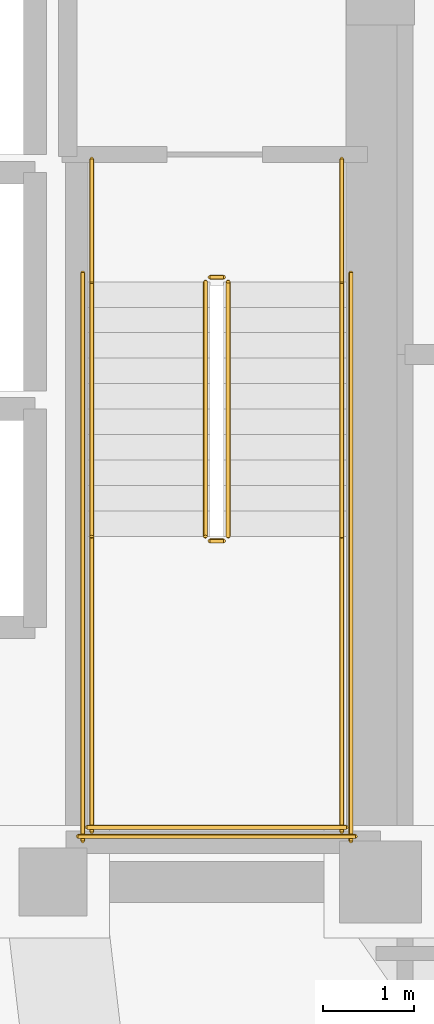
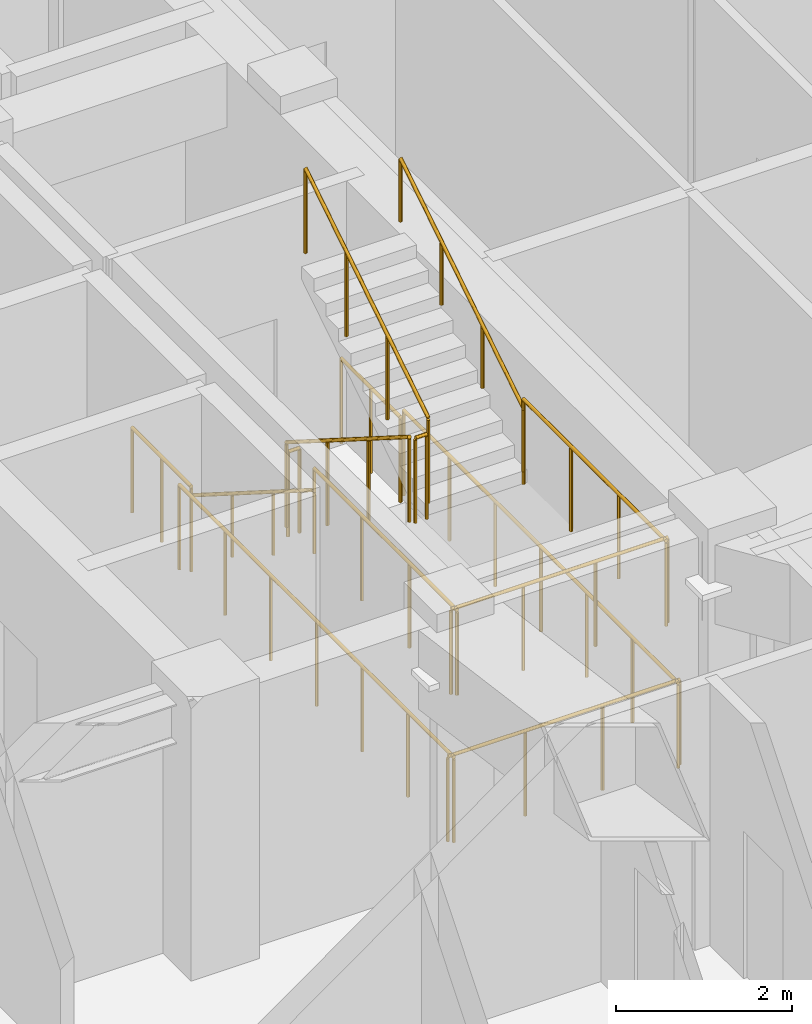
# One storey, part 16 of 16: 14 railings.
"""IFC4 building model written with IfcOpenShell, lengths in metres."""

from ifc_helpers import new_model, si_unit, direction, frame, origin, origin_2d, place, context, subcontext, project, spatial, circle, extrude, material, type_object, element, save


model = new_model("IFC4")

# Units and contexts
model_context = context("Model", 3, precision=1e-05, world=origin(), true_north=direction((0.0, 1.0)))
body_context = subcontext(model_context, "Body", "Model", "MODEL_VIEW")
ifc_project = project(units=[si_unit("LENGTHUNIT", "METRE"), si_unit("AREAUNIT", "SQUARE_METRE"), si_unit("VOLUMEUNIT", "CUBIC_METRE"), si_unit("PLANEANGLEUNIT", "RADIAN"), si_unit("MASSUNIT", "GRAM", prefix="KILO")], contexts=[model_context])

# Site, building, storey
site_placement = place(None, origin())
site = spatial("IfcSite", under=ifc_project, at=site_placement, CompositionType="ELEMENT")
building_placement = place(site_placement, origin())
building = spatial("IfcBuilding", under=site, at=building_placement, Name="Voryun Gate Residences", CompositionType="ELEMENT")
storey_placement = place(building_placement, frame((0.0, 0.0, 200.199951171875)))
storey = spatial("IfcBuildingStorey", under=building, at=storey_placement, Name="L49", CompositionType="ELEMENT", Elevation=200.199951171875)

# Railings
ifc_material_1 = material(Name="Painted steel", Category="steel")
railing_type_1 = type_object("IfcRailingType", Name="RAIL_STAIR_GUARD_1200", PredefinedType="GUARDRAIL", material=ifc_material_1)
railing_1_placement = place(storey_placement, frame((17.27490234375, -0.800048828125, 0.17724609375)))
element("IfcRailing", 1, at=railing_1_placement, inside=storey, type_object=railing_type_1, Name="L49 ST-E1 stair guard 1", PredefinedType="GUARDRAIL", context=body_context, shape_type="SweptSolid", body=[
    extrude(circle(Radius=0.02392578125, at=origin_2d()), frame((0.0, 0.0, 1.17578125), z_axis=(0.0, -0.844908973607, 0.534910110503), x_axis=(1.0, 0.0, 0.0)), (0.0, 0.0, 1.0), 3.31396484375),
    extrude(circle(Radius=0.02099609375, at=origin_2d()), origin(), (0.0, 0.0, 1.0), 1.15185546875),
    extrude(circle(Radius=0.02099609375, at=origin_2d()), frame((0.0, -0.933349609375, 0.5908203125)), (0.0, 0.0, 1.0), 1.15185546875),
    extrude(circle(Radius=0.02099609375, at=origin_2d()), frame((0.0, -1.86669921875, 1.181884765625)), (0.0, 0.0, 1.0), 1.15185546875),
    extrude(circle(Radius=0.02099609375, at=origin_2d()), frame((0.0, -2.800048828125, 1.772705078125)), (0.0, 0.0, 1.0), 1.15185546875),
])
railing_2_placement = place(storey_placement, frame((17.324951171875, -3.64990234375, 1.949951171875)))
element("IfcRailing", 2, at=railing_2_placement, inside=storey, type_object=railing_type_1, Name="L49 ST-E1 stair guard 2", PredefinedType="GUARDRAIL", context=body_context, shape_type="SweptSolid", body=[
    extrude(circle(Radius=0.02392578125, at=origin_2d()), frame((0.0, 0.0, 1.17578125), z_axis=(1.0, 0.0, 0.0), x_axis=(0.0, 1.0, 0.0)), (0.0, 0.0, 1.0), 0.150146484375),
    extrude(circle(Radius=0.02099609375, at=origin_2d()), origin(), (0.0, 0.0, 1.0), 1.15185546875),
    extrude(circle(Radius=0.02099609375, at=origin_2d()), frame((0.150146484375, 0.0, 0.0)), (0.0, 0.0, 1.0), 1.15185546875),
])
for number, where, name in (
    (3, (16.02490234375, -3.60009765625, 1.949951171875), "L49 ST-E1 stair guard 3"),
    (4, (18.77490234375, -3.60009765625, 1.949951171875), "L49 ST-E1 stair guard 4"),
):
    element("IfcRailing", number, at=place(storey_placement, frame(where)), inside=storey, type_object=railing_type_1, Name=name, PredefinedType="GUARDRAIL", context=body_context, shape_type="SweptSolid", body=[
        extrude(circle(Radius=0.02392578125, at=origin_2d()), frame((0.0, 0.0, 1.17578125), z_axis=(0.0, -1.0, 0.0), x_axis=(1.0, 0.0, 0.0)), (0.0, 0.0, 1.0), 3.25),
        extrude(circle(Radius=0.02099609375, at=origin_2d()), origin(), (0.0, 0.0, 1.0), 1.15185546875),
        extrude(circle(Radius=0.02099609375, at=origin_2d()), frame((0.0, -1.083251953125, 0.0)), (0.0, 0.0, 1.0), 1.15185546875),
        extrude(circle(Radius=0.02099609375, at=origin_2d()), frame((0.0, -2.166748046875, 0.0)), (0.0, 0.0, 1.0), 1.15185546875),
        extrude(circle(Radius=0.02099609375, at=origin_2d()), frame((0.0, -3.25, 0.0)), (0.0, 0.0, 1.0), 1.15185546875),
    ])
railing_3_placement = place(storey_placement, frame((15.97509765625, -6.800048828125, 1.949951171875)))
element("IfcRailing", 5, at=railing_3_placement, inside=storey, type_object=railing_type_1, Name="L49 ST-E1 stair guard 5", PredefinedType="GUARDRAIL", context=body_context, shape_type="SweptSolid", body=[
    extrude(circle(Radius=0.02392578125, at=origin_2d()), frame((0.0, 0.0, 1.17578125), z_axis=(1.0, 0.0, 0.0), x_axis=(0.0, 1.0, 0.0)), (0.0, 0.0, 1.0), 2.849853515625),
    extrude(circle(Radius=0.02099609375, at=origin_2d()), origin(), (0.0, 0.0, 1.0), 1.15185546875),
    extrude(circle(Radius=0.02099609375, at=origin_2d()), frame((0.949951171875, 0.0, 0.0)), (0.0, 0.0, 1.0), 1.15185546875),
    extrude(circle(Radius=0.02099609375, at=origin_2d()), frame((1.89990234375, 0.0, 0.0)), (0.0, 0.0, 1.0), 1.15185546875),
    extrude(circle(Radius=0.02099609375, at=origin_2d()), frame((2.849853515625, 0.0, 0.0)), (0.0, 0.0, 1.0), 1.15185546875),
])
railing_4_placement = place(storey_placement, frame((17.52490234375, -3.60009765625, 2.12744140625)))
element("IfcRailing", 6, at=railing_4_placement, inside=storey, type_object=railing_type_1, Name="L49 ST-E1 stair guard 6", PredefinedType="GUARDRAIL", context=body_context, shape_type="SweptSolid", body=[
    extrude(circle(Radius=0.02392578125, at=origin_2d()), frame((0.0, 0.0, 1.17578125), z_axis=(0.0, 0.844908973607, 0.534910110503), x_axis=(-1.0, 0.0, 0.0)), (0.0, 0.0, 1.0), 3.31396484375),
    extrude(circle(Radius=0.02099609375, at=origin_2d()), origin(), (0.0, 0.0, 1.0), 1.15185546875),
    extrude(circle(Radius=0.02099609375, at=origin_2d()), frame((0.0, 0.933349609375, 0.5908203125)), (0.0, 0.0, 1.0), 1.15185546875),
    extrude(circle(Radius=0.02099609375, at=origin_2d()), frame((0.0, 1.86669921875, 1.181884765625)), (0.0, 0.0, 1.0), 1.15185546875),
    extrude(circle(Radius=0.02099609375, at=origin_2d()), frame((0.0, 2.800048828125, 1.772705078125)), (0.0, 0.0, 1.0), 1.15185546875),
])
railing_5_placement = place(storey_placement, frame((17.324951171875, -0.75, 0.0)))
element("IfcRailing", 7, at=railing_5_placement, inside=storey, type_object=railing_type_1, Name="L49 ST-E1 stair guard 7", PredefinedType="GUARDRAIL", context=body_context, shape_type="SweptSolid", body=[
    extrude(circle(Radius=0.02392578125, at=origin_2d()), frame((0.0, 0.0, 1.17578125), z_axis=(1.0, 0.0, 0.0), x_axis=(0.0, 1.0, 0.0)), (0.0, 0.0, 1.0), 0.150146484375),
    extrude(circle(Radius=0.02099609375, at=origin_2d()), origin(), (0.0, 0.0, 1.0), 1.15185546875),
    extrude(circle(Radius=0.02099609375, at=origin_2d()), frame((0.150146484375, 0.0, 0.0)), (0.0, 0.0, 1.0), 1.15185546875),
])
for number, where, name in (
    (8, (16.02490234375, 0.550048828125, 0.0), "L49 ST-E1 stair guard 8"),
    (9, (18.77490234375, 0.550048828125, 0.0), "L49 ST-E1 stair guard 9"),
):
    element("IfcRailing", number, at=place(storey_placement, frame(where)), inside=storey, type_object=railing_type_1, Name=name, PredefinedType="GUARDRAIL", context=body_context, shape_type="SweptSolid", body=[
        extrude(circle(Radius=0.02392578125, at=origin_2d()), frame((0.0, 0.0, 1.17578125), z_axis=(0.0, -1.0, 0.0), x_axis=(1.0, 0.0, 0.0)), (0.0, 0.0, 1.0), 1.35009765625),
        extrude(circle(Radius=0.02099609375, at=origin_2d()), origin(), (0.0, 0.0, 1.0), 1.15185546875),
        extrude(circle(Radius=0.02099609375, at=origin_2d()), frame((0.0, -0.675048828125, 0.0)), (0.0, 0.0, 1.0), 1.15185546875),
        extrude(circle(Radius=0.02099609375, at=origin_2d()), frame((0.0, -1.35009765625, 0.0)), (0.0, 0.0, 1.0), 1.15185546875),
    ])
for number, where, name in (
    (10, (15.925048828125, -0.699951171875, 0.0), "L49 ST-E1 stair guard 10"),
    (11, (18.875, -0.699951171875, 0.0), "L49 ST-E1 stair guard 11"),
):
    element("IfcRailing", number, at=place(storey_placement, frame(where)), inside=storey, type_object=railing_type_1, Name=name, PredefinedType="GUARDRAIL", context=body_context, shape_type="SweptSolid", body=[
        extrude(circle(Radius=0.02392578125, at=origin_2d()), frame((0.0, 0.0, 1.17578125), z_axis=(0.0, -1.0, 0.0), x_axis=(1.0, 0.0, 0.0)), (0.0, 0.0, 1.0), 6.25),
        extrude(circle(Radius=0.02099609375, at=origin_2d()), origin(), (0.0, 0.0, 1.0), 1.15185546875),
        extrude(circle(Radius=0.02099609375, at=origin_2d()), frame((0.0, -1.041748046875, 0.0)), (0.0, 0.0, 1.0), 1.15185546875),
        extrude(circle(Radius=0.02099609375, at=origin_2d()), frame((0.0, -2.083251953125, 0.0)), (0.0, 0.0, 1.0), 1.15185546875),
        extrude(circle(Radius=0.02099609375, at=origin_2d()), frame((0.0, -3.125, 0.0)), (0.0, 0.0, 1.0), 1.15185546875),
        extrude(circle(Radius=0.02099609375, at=origin_2d()), frame((0.0, -4.166748046875, 0.0)), (0.0, 0.0, 1.0), 1.15185546875),
        extrude(circle(Radius=0.02099609375, at=origin_2d()), frame((0.0, -5.208251953125, 0.0)), (0.0, 0.0, 1.0), 1.15185546875),
        extrude(circle(Radius=0.02099609375, at=origin_2d()), frame((0.0, -6.25, 0.0)), (0.0, 0.0, 1.0), 1.15185546875),
    ])
railing_6_placement = place(storey_placement, frame((15.875, -6.89990234375, 0.0)))
element("IfcRailing", 12, at=railing_6_placement, inside=storey, type_object=railing_type_1, Name="L49 ST-E1 stair guard 12", PredefinedType="GUARDRAIL", context=body_context, shape_type="SweptSolid", body=[
    extrude(circle(Radius=0.02392578125, at=origin_2d()), frame((0.0, 0.0, 1.17578125), z_axis=(1.0, 0.0, 0.0), x_axis=(0.0, 1.0, 0.0)), (0.0, 0.0, 1.0), 3.050048828125),
    extrude(circle(Radius=0.02099609375, at=origin_2d()), origin(), (0.0, 0.0, 1.0), 1.15185546875),
    extrude(circle(Radius=0.02099609375, at=origin_2d()), frame((1.0166015625, 0.0, 0.0)), (0.0, 0.0, 1.0), 1.15185546875),
    extrude(circle(Radius=0.02099609375, at=origin_2d()), frame((2.033447265625, 0.0, 0.0)), (0.0, 0.0, 1.0), 1.15185546875),
    extrude(circle(Radius=0.02099609375, at=origin_2d()), frame((3.050048828125, 0.0, 0.0)), (0.0, 0.0, 1.0), 1.15185546875),
])
ifc_material_2 = material(Name="Painted steel", Category="steel")
railing_type_2 = type_object("IfcRailingType", Name="RAIL_STAIR_HANDRAIL_900", PredefinedType="HANDRAIL", material=ifc_material_2)
railing_7_placement = place(storey_placement, frame((16.02490234375, -0.800048828125, 0.17724609375)))
element("IfcRailing", 13, at=railing_7_placement, inside=storey, type_object=railing_type_2, Name="L49 ST-E1 stair handrail 1", PredefinedType="HANDRAIL", context=body_context, shape_type="SweptSolid", body=[
    extrude(circle(Radius=0.02392578125, at=origin_2d()), frame((0.0, 0.0, 0.8759765625), z_axis=(0.0, -0.844908973607, 0.534910110503), x_axis=(1.0, 0.0, 0.0)), (0.0, 0.0, 1.0), 3.31396484375),
    extrude(circle(Radius=0.02099609375, at=origin_2d()), origin(), (0.0, 0.0, 1.0), 0.851806640625),
    extrude(circle(Radius=0.02099609375, at=origin_2d()), frame((0.0, -0.933349609375, 0.5908203125)), (0.0, 0.0, 1.0), 0.851806640625),
    extrude(circle(Radius=0.02099609375, at=origin_2d()), frame((0.0, -1.86669921875, 1.181884765625)), (0.0, 0.0, 1.0), 0.851806640625),
    extrude(circle(Radius=0.02099609375, at=origin_2d()), frame((0.0, -2.800048828125, 1.772705078125)), (0.0, 0.0, 1.0), 0.851806640625),
])
railing_8_placement = place(storey_placement, frame((18.77490234375, -3.60009765625, 2.12744140625)))
element("IfcRailing", 14, at=railing_8_placement, inside=storey, type_object=railing_type_2, Name="L49 ST-E1 stair handrail 2", PredefinedType="HANDRAIL", context=body_context, shape_type="SweptSolid", body=[
    extrude(circle(Radius=0.02392578125, at=origin_2d()), frame((0.0, 0.0, 0.8759765625), z_axis=(0.0, 0.844908973607, 0.534910110503), x_axis=(-1.0, 0.0, 0.0)), (0.0, 0.0, 1.0), 3.31396484375),
    extrude(circle(Radius=0.02099609375, at=origin_2d()), origin(), (0.0, 0.0, 1.0), 0.851806640625),
    extrude(circle(Radius=0.02099609375, at=origin_2d()), frame((0.0, 0.933349609375, 0.5908203125)), (0.0, 0.0, 1.0), 0.851806640625),
    extrude(circle(Radius=0.02099609375, at=origin_2d()), frame((0.0, 1.86669921875, 1.181884765625)), (0.0, 0.0, 1.0), 0.851806640625),
    extrude(circle(Radius=0.02099609375, at=origin_2d()), frame((0.0, 2.800048828125, 1.772705078125)), (0.0, 0.0, 1.0), 0.851806640625),
])

save(model, "model.ifc")
